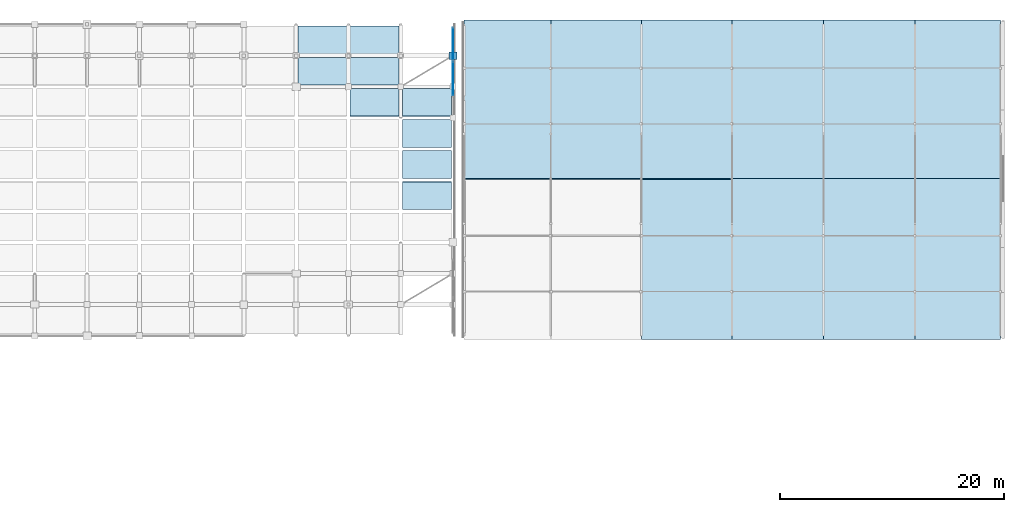
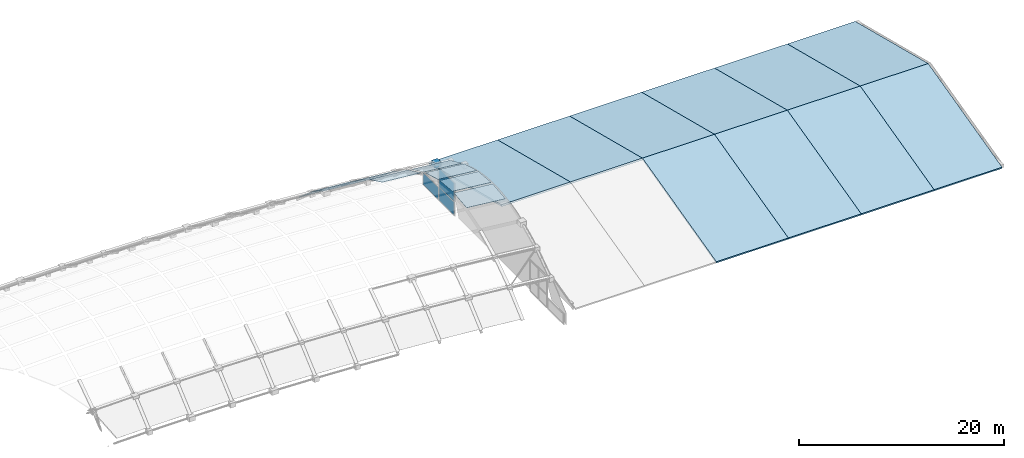
# One storey, part 47 of 65: 13 plates, 10 slabs, 3 elements without a shape of their own.
"""IFC4 building model written with IfcOpenShell, lengths in metres."""

from ifc_helpers import new_model, si_unit, direction, frame, origin, origin_2d, place, context, subcontext, project, spatial, polyline, rectangle, outline, extrude, material, layer, layer_set, type_object, element, aggregate, save


model = new_model("IFC4")

# Units and contexts
model_context = context("Model", 3, precision=1e-05, world=origin(), true_north=direction((0.0, 1.0)))
body_context = subcontext(model_context, "Body", "Model", "MODEL_VIEW")
ifc_project = project(units=[si_unit("LENGTHUNIT", "METRE"), si_unit("AREAUNIT", "SQUARE_METRE"), si_unit("VOLUMEUNIT", "CUBIC_METRE"), si_unit("PLANEANGLEUNIT", "RADIAN"), si_unit("MASSUNIT", "GRAM", prefix="KILO")], contexts=[model_context])

# Site, building, storey
site_placement = place(None, origin())
site = spatial("IfcSite", under=ifc_project, at=site_placement, CompositionType="ELEMENT")
building_placement = place(site_placement, origin())
building = spatial("IfcBuilding", under=site, at=building_placement, Name="Quillay Park Conservatory", CompositionType="ELEMENT")
storey_placement = place(building_placement, frame((0.0, 0.0, 14.10009765625)))
storey = spatial("IfcBuildingStorey", under=building, at=storey_placement, Name="L03", CompositionType="ELEMENT", Elevation=14.10009765625)

# Plate
ifc_material_1 = material(Name="Steel S355J2H", Category="steel")
ifc_layer_1 = layer(ifc_material_1, 0.0439453125)
ifc_layer_set_1 = layer_set([ifc_layer_1], Name="BOLTED GUSSET NODE PLATE GN04 (Steel S355J2H)")
plate_type_1 = type_object("IfcPlateType", Name="BOLTED GUSSET NODE PLATE GN04", PredefinedType="USERDEFINED", material=ifc_layer_set_1)
plate_1_placement = place(storey_placement, frame((114.85009765625, 110.614990234375, 0.636474609375), z_axis=(0.0, 0.0, 1.0), x_axis=(1.0, 0.0, 0.0)))
element("IfcPlate", 1, at=plate_1_placement, inside=storey, type_object=plate_type_1, Name="Conservatory gridshell star node GN04 (18,9)", ObjectType="GUSSET PLATE", PredefinedType="USERDEFINED", context=body_context, shape_type="SweptSolid", body=[
    extrude(rectangle(XDim=0.679931640625, YDim=0.679931640625, at=origin_2d()), origin(), (0.0, 0.0, 1.0), 0.5400390625),
])

# Curtain wall, plates
ifc_material_2 = material(Name="Thermally Broken Anodised Aluminium 6063-T6", Category="aluminium")
ifc_layer_2 = layer(ifc_material_2, 0.219970703125)
ifc_layer_set_2 = layer_set([ifc_layer_2], Name="UNITISED CURTAIN WALL CONSERVATORY (Thermally Broken Anodised Aluminium 6063-T6)")
curtain_wall_type = type_object("IfcCurtainWallType", Name="UNITISED CURTAIN WALL CONSERVATORY", PredefinedType="USERDEFINED", material=ifc_layer_set_2)
curtain_wall_1_placement = place(storey_placement, origin())
curtain_wall_1 = element("IfcCurtainWall", 2, at=curtain_wall_1_placement, inside=storey, type_object=curtain_wall_type, Name="L03 Unitised Curtain Wall 184", ObjectType="UNITISED CURTAIN WALL", PredefinedType="USERDEFINED")
ifc_material_3 = material(Name="Low-Iron Laminated Insulated Glazing", Category="glass")
ifc_layer_3 = layer(ifc_material_3, 0.031982421875)
ifc_layer_set_3 = layer_set([ifc_layer_3], Name="CURTAIN WALL GLAZED PANEL 32 (Low-Iron Laminated Insulated Glazing)")
plate_type_2 = type_object("IfcPlateType", Name="CURTAIN WALL GLAZED PANEL 32", PredefinedType="CURTAIN_PANEL", material=ifc_layer_set_3)
plate_2_placement = place(storey_placement, frame((114.85009765625, 108.552490234375, -3.130126953125), z_axis=(0.0, 0.0, 1.0), x_axis=(0.0, -1.0, 0.0)))
plate_2 = element("IfcPlate", 3, at=plate_2_placement, type_object=plate_type_2, Name="CW-C1 panel 1.1", PredefinedType="CURTAIN_PANEL", context=body_context, shape_type="SweptSolid", body=[
    extrude(rectangle(XDim=2.955078125, YDim=0.031982421875, at=origin_2d()), origin(), (0.0, 0.0, 1.0), 1.5576171875),
])
plate_3_placement = place(storey_placement, frame((114.85009765625, 108.552490234375, -1.50244140625), z_axis=(0.0, 0.0, 1.0), x_axis=(0.0, -1.0, 0.0)))
plate_3 = element("IfcPlate", 4, at=plate_3_placement, type_object=plate_type_2, Name="CW-C1 panel 1.2", PredefinedType="CURTAIN_PANEL", context=body_context, shape_type="SweptSolid", body=[
    extrude(rectangle(XDim=2.955078125, YDim=0.031982421875, at=origin_2d()), origin(), (0.0, 0.0, 1.0), 2.19091796875),
])
aggregate(curtain_wall_1, [plate_2, plate_3])

# Curtain wall, plate
curtain_wall_2_placement = place(storey_placement, origin())
curtain_wall_2 = element("IfcCurtainWall", 5, at=curtain_wall_2_placement, inside=storey, type_object=curtain_wall_type, Name="L03 Unitised Curtain Wall 186", ObjectType="UNITISED CURTAIN WALL", PredefinedType="USERDEFINED")
plate_4_placement = place(storey_placement, frame((114.85009765625, 111.6474609375, -3.13037109375), z_axis=(0.0, 0.0, 1.0), x_axis=(0.0, -1.0, 0.0)))
plate_4 = element("IfcPlate", 6, at=plate_4_placement, type_object=plate_type_2, Name="CW-C1 panel 1.1", PredefinedType="CURTAIN_PANEL", context=body_context, shape_type="SweptSolid", body=[
    extrude(rectangle(XDim=2.955078125, YDim=0.031982421875, at=origin_2d()), origin(), (0.0, 0.0, 1.0), 1.416259765625),
])
aggregate(curtain_wall_2, [plate_4])

# Slabs
ifc_material_4 = material(Name="Concrete C35/45 (NCh170 Concrete C35/45)", Category="concrete")
ifc_layer_4 = layer(ifc_material_4, 0.199951171875)
ifc_layer_set_4 = layer_set([ifc_layer_4], Name="FOLDED ROOF SLAB 200 (Concrete C35/45 (NCh170 Concrete C35/45))")
slab_type = type_object("IfcSlabType", Name="FOLDED ROOF SLAB 200", PredefinedType="ROOF", material=ifc_layer_set_4)
slab_1_placement = place(storey_placement, frame((115.85009765625, 99.60009765625, 2.2998046875), z_axis=(0.0, 0.245738068546, 0.969336268623), x_axis=(1.0, 0.0, 0.0)))
element("IfcSlab", 7, at=slab_1_placement, inside=storey, type_object=slab_type, Name="Auditorium Folded Roof North Facet 1", PredefinedType="ROOF", context=body_context, shape_type="SweptSolid", body=[
    extrude(outline(polyline([(0.0, 0.0), (7.75, 0.0), (7.75, 14.649148733547346), (0.0, 14.649148733547346), (0.0, 0.0)])), origin(), (0.0, 0.0, -1.0), 0.199951171875),
])
slab_2_placement = place(storey_placement, frame((123.60009765625, 99.60009765625, 2.2998046875), z_axis=(0.0, 0.245738068546, 0.969336268623), x_axis=(1.0, 0.0, 0.0)))
element("IfcSlab", 8, at=slab_2_placement, inside=storey, type_object=slab_type, Name="Auditorium Folded Roof North Facet 2", PredefinedType="ROOF", context=body_context, shape_type="SweptSolid", body=[
    extrude(outline(polyline([(0.0, 0.0), (8.099853515625, 0.0), (8.099853515625, 14.649148733547346), (0.0, 14.649148733547346), (0.0, 0.0)])), origin(), (0.0, 0.0, -1.0), 0.199951171875),
])
slab_3_placement = place(storey_placement, frame((131.699951171875, 85.199951171875, -1.300048828125), z_axis=(0.0, -0.24252401475, 0.970145402643), x_axis=(1.0, 0.0, 0.0)))
element("IfcSlab", 9, at=slab_3_placement, inside=storey, type_object=slab_type, Name="Auditorium Folded Roof South Facet 3", PredefinedType="ROOF", context=body_context, shape_type="SweptSolid", body=[
    extrude(outline(polyline([(0.0, 0.0), (8.10009765625, 0.0), (8.10009765625, 14.843286836324875), (0.0, 14.843286836324875), (0.0, 0.0)])), origin(), (0.0, 0.0, -1.0), 0.199951171875),
])
slab_4_placement = place(storey_placement, frame((131.699951171875, 99.60009765625, 2.2998046875), z_axis=(0.0, 0.245738068546, 0.969336268623), x_axis=(1.0, 0.0, 0.0)))
element("IfcSlab", 10, at=slab_4_placement, inside=storey, type_object=slab_type, Name="Auditorium Folded Roof North Facet 3", PredefinedType="ROOF", context=body_context, shape_type="SweptSolid", body=[
    extrude(outline(polyline([(0.0, 0.0), (8.10009765625, 0.0), (8.10009765625, 14.649148733547346), (0.0, 14.649148733547346), (0.0, 0.0)])), origin(), (0.0, 0.0, -1.0), 0.199951171875),
])
slab_5_placement = place(storey_placement, frame((139.800048828125, 85.199951171875, -1.300048828125), z_axis=(0.0, -0.24252401475, 0.970145402643), x_axis=(1.0, 0.0, 0.0)))
element("IfcSlab", 11, at=slab_5_placement, inside=storey, type_object=slab_type, Name="Auditorium Folded Roof South Facet 4", PredefinedType="ROOF", context=body_context, shape_type="SweptSolid", body=[
    extrude(outline(polyline([(0.0, 0.0), (8.199951171875, 0.0), (8.199951171875, 14.843286836324873), (0.0, 14.843286836324873), (0.0, 0.0)])), origin(), (0.0, 0.0, -1.0), 0.199951171875),
])
slab_6_placement = place(storey_placement, frame((139.800048828125, 99.60009765625, 2.2998046875), z_axis=(0.0, 0.245738068546, 0.969336268623), x_axis=(1.0, 0.0, 0.0)))
element("IfcSlab", 12, at=slab_6_placement, inside=storey, type_object=slab_type, Name="Auditorium Folded Roof North Facet 4", PredefinedType="ROOF", context=body_context, shape_type="SweptSolid", body=[
    extrude(outline(polyline([(0.0, 0.0), (8.199951171875, 0.0), (8.199951171875, 14.649148733547346), (0.0, 14.649148733547346), (0.0, 0.0)])), origin(), (0.0, 0.0, -1.0), 0.199951171875),
])
slab_7_placement = place(storey_placement, frame((148.0, 85.199951171875, -1.300048828125), z_axis=(0.0, -0.24252401475, 0.970145402643), x_axis=(1.0, 0.0, 0.0)))
element("IfcSlab", 13, at=slab_7_placement, inside=storey, type_object=slab_type, Name="Auditorium Folded Roof South Facet 5", PredefinedType="ROOF", context=body_context, shape_type="SweptSolid", body=[
    extrude(outline(polyline([(0.0, 0.0), (8.199951171875, 0.0), (8.199951171875, 14.843286836324873), (0.0, 14.843286836324873), (0.0, 0.0)])), origin(), (0.0, 0.0, -1.0), 0.199951171875),
])
slab_8_placement = place(storey_placement, frame((148.0, 99.60009765625, 2.2998046875), z_axis=(0.0, 0.245738068546, 0.969336268623), x_axis=(1.0, 0.0, 0.0)))
element("IfcSlab", 14, at=slab_8_placement, inside=storey, type_object=slab_type, Name="Auditorium Folded Roof North Facet 5", PredefinedType="ROOF", context=body_context, shape_type="SweptSolid", body=[
    extrude(outline(polyline([(0.0, 0.0), (8.199951171875, 0.0), (8.199951171875, 14.649148733547346), (0.0, 14.649148733547346), (0.0, 0.0)])), origin(), (0.0, 0.0, -1.0), 0.199951171875),
])
slab_9_placement = place(storey_placement, frame((156.199951171875, 85.199951171875, -1.300048828125), z_axis=(0.0, -0.24252401475, 0.970145402643), x_axis=(1.0, 0.0, 0.0)))
element("IfcSlab", 15, at=slab_9_placement, inside=storey, type_object=slab_type, Name="Auditorium Folded Roof South Facet 6", PredefinedType="ROOF", context=body_context, shape_type="SweptSolid", body=[
    extrude(outline(polyline([(0.0, 0.0), (7.650146484375, 0.0), (7.650146484375, 14.843286836324875), (0.0, 14.843286836324875), (0.0, 0.0)])), origin(), (0.0, 0.0, -1.0), 0.199951171875),
])
slab_10_placement = place(storey_placement, frame((156.199951171875, 99.60009765625, 2.2998046875), z_axis=(0.0, 0.245738068546, 0.969336268623), x_axis=(1.0, 0.0, 0.0)))
element("IfcSlab", 16, at=slab_10_placement, inside=storey, type_object=slab_type, Name="Auditorium Folded Roof North Facet 6", PredefinedType="ROOF", context=body_context, shape_type="SweptSolid", body=[
    extrude(outline(polyline([(0.0, 0.0), (7.650146484375, 0.0), (7.650146484375, 14.649148733547346), (0.0, 14.649148733547346), (0.0, 0.0)])), origin(), (0.0, 0.0, -1.0), 0.199951171875),
])

# Roof, plates
ifc_material_5 = material(Name="Low-Iron Laminated Insulated Glazing", Category="glass")
roof_type = type_object("IfcRoofType", Name="TRANSLATIONAL GRIDSHELL ROOF", PredefinedType="FREEFORM", material=ifc_material_5)
roof_placement = place(storey_placement, origin())
roof = element("IfcRoof", 17, at=roof_placement, inside=storey, type_object=roof_type, Name="Multi-Biome Conservatory Translational Gridshell Roof", PredefinedType="FREEFORM")
ifc_material_6 = material(Name="Low-Iron Laminated Insulated Glazing", Category="glass")
ifc_layer_5 = layer(ifc_material_6, 0.033935546875)
ifc_layer_set_5 = layer_set([ifc_layer_5], Name="GRIDSHELL GLAZED PANEL 34 (Low-Iron Laminated Insulated Glazing)")
plate_type_3 = type_object("IfcPlateType", Name="GRIDSHELL GLAZED PANEL 34", PredefinedType="SHEET", material=ifc_layer_set_5)
plate_5_placement = place(storey_placement, frame((100.966796875, 110.764892578125, 2.31005859375), z_axis=(0.061406622101, 0.651409023761, 0.756237734132), x_axis=(0.996719480928, 0.0, -0.080933777493)))
plate_5 = element("IfcPlate", 18, at=plate_5_placement, type_object=plate_type_3, Name="Conservatory Gridshell Roof Glazing Panel 15-09", PredefinedType="SHEET", context=body_context, shape_type="SweptSolid", body=[
    extrude(outline(polyline([(0.0, 0.0), (4.392093894664006, 0.0), (4.565342762110397, 3.2753654939276244), (0.17324886744639156, 3.2753654939276244), (0.0, 0.0)])), origin(), (0.0, 0.0, -1.0), 0.033935546875),
])
plate_6_placement = place(storey_placement, frame((105.644287109375, 107.97998046875, 3.82177734375), z_axis=(0.077667705746, 0.553813736273, 0.829010297282), x_axis=(0.995640029065, 0.0, -0.09327878925)))
plate_6 = element("IfcPlate", 19, at=plate_6_placement, type_object=plate_type_3, Name="Conservatory Gridshell Roof Glazing Panel 16-08", PredefinedType="SHEET", context=body_context, shape_type="SweptSolid", body=[
    extrude(outline(polyline([(0.0, 0.0), (4.397100919709247, -2.7755575615628914e-17), (4.551958284674864, 2.9846100028627154), (0.15485736496561642, 2.9846100028627154), (0.0, 0.0)])), origin(), (0.0, 0.0, -1.0), 0.033935546875),
])
plate_7_placement = place(storey_placement, frame((110.322265625, 96.840087890625, 5.55224609375), z_axis=(0.104126902067, -0.105713856661, 0.988929809833), x_axis=(0.994502413448, 0.0, -0.10471365549)))
plate_7 = element("IfcPlate", 20, at=plate_7_placement, type_object=plate_type_3, Name="Conservatory Gridshell Roof Glazing Panel 17-04", PredefinedType="SHEET", context=body_context, shape_type="SweptSolid", body=[
    extrude(outline(polyline([(0.0, 0.0), (4.401885292261092, 0.0), (4.37407072752158, 2.49886544598101), (-0.027814564739511584, 2.4988654459810093), (0.0, 0.0)])), origin(), (0.0, 0.0, -1.0), 0.033935546875),
])
plate_8_placement = place(storey_placement, frame((110.322265625, 105.195068359375, 4.73193359375), z_axis=(0.094690206135, 0.426945127604, 0.899306189725), x_axis=(0.994502413448, 0.0, -0.10471365549)))
plate_8 = element("IfcPlate", 21, at=plate_8_placement, type_object=plate_type_3, Name="Conservatory Gridshell Roof Glazing Panel 17-07", PredefinedType="SHEET", context=body_context, shape_type="SweptSolid", body=[
    extrude(outline(polyline([(0.0, 0.0), (4.401885292261092, 0.0), (4.5254146827218635, 2.7478989453495486), (0.12352939046077203, 2.7478989453495486), (0.0, 0.0)])), origin(), (0.0, 0.0, -1.0), 0.033935546875),
])
ifc_material_7 = material(Name="Low-Iron Laminated Insulated Glazing", Category="glass")
ifc_layer_6 = layer(ifc_material_7, 0.0380859375)
ifc_layer_set_6 = layer_set([ifc_layer_6], Name="GRIDSHELL GLAZED PANEL 38 (Low-Iron Laminated Insulated Glazing)")
plate_type_4 = type_object("IfcPlateType", Name="GRIDSHELL GLAZED PANEL 38", PredefinedType="SHEET", material=ifc_layer_set_6)
plate_9_placement = place(storey_placement, frame((105.644287109375, 110.764892578125, 1.93115234375), z_axis=(0.070805641738, 0.651002623209, 0.755765933125), x_axis=(0.995640029065, 0.0, -0.09327878925)))
plate_9 = element("IfcPlate", 22, at=plate_9_placement, type_object=plate_type_4, Name="Conservatory Gridshell Roof Glazing Panel 16-09", PredefinedType="SHEET", context=body_context, shape_type="SweptSolid", body=[
    extrude(outline(polyline([(0.0, 0.0), (4.397100919709247, 0.0), (4.5967758279472655, 3.2738607514528395), (0.19967490823801834, 3.2738607514528395), (0.0, 0.0)])), origin(), (0.0, 0.0, -1.0), 0.0380859375),
])
plate_10_placement = place(storey_placement, frame((110.322265625, 99.625, 5.81787109375), z_axis=(0.104314719317, 0.087206932348, 0.99071357631), x_axis=(0.994502413448, 0.0, -0.10471365549)))
plate_10 = element("IfcPlate", 23, at=plate_10_placement, type_object=plate_type_4, Name="Conservatory Gridshell Roof Glazing Panel 17-05", PredefinedType="SHEET", context=body_context, shape_type="SweptSolid", body=[
    extrude(outline(polyline([(0.0, 0.0), (4.401885292261092, 6.938893903907228e-18), (4.424791404399513, 2.4946113466399753), (0.022906112138421305, 2.4946113466399753), (0.0, 0.0)])), origin(), (0.0, 0.0, -1.0), 0.0380859375),
])
ifc_material_8 = material(Name="Low-Iron Laminated Insulated Glazing", Category="glass")
ifc_layer_7 = layer(ifc_material_8, 0.0419921875)
ifc_layer_set_7 = layer_set([ifc_layer_7], Name="GRIDSHELL GLAZED PANEL 42 (Low-Iron Laminated Insulated Glazing)")
plate_type_5 = type_object("IfcPlateType", Name="GRIDSHELL GLAZED PANEL 42", PredefinedType="SHEET", material=ifc_layer_set_7)
plate_11_placement = place(storey_placement, frame((100.966796875, 107.97998046875, 4.20068359375), z_axis=(0.067366338304, 0.554229803178, 0.829633112727), x_axis=(0.996719480928, 0.0, -0.080933777493)))
plate_11 = element("IfcPlate", 24, at=plate_11_placement, type_object=plate_type_5, Name="Conservatory Gridshell Roof Glazing Panel 15-08", PredefinedType="SHEET", context=body_context, shape_type="SweptSolid", body=[
    extrude(outline(polyline([(0.0, 0.0), (4.392093894664006, 0.0), (4.526456611205459, 2.985602842488577), (0.13436271654145332, 2.985602842488577), (0.0, 0.0)])), origin(), (0.0, 0.0, -1.0), 0.0419921875),
])
plate_12_placement = place(storey_placement, frame((105.644287109375, 105.195068359375, 5.17333984375), z_axis=(0.084332320857, 0.427344363321, 0.900147129528), x_axis=(0.995640029065, 0.0, -0.09327878925)))
plate_12 = element("IfcPlate", 25, at=plate_12_placement, type_object=plate_type_5, Name="Conservatory Gridshell Roof Glazing Panel 16-07", PredefinedType="SHEET", context=body_context, shape_type="SweptSolid", body=[
    extrude(outline(polyline([(0.0, 0.0), (4.397100919709247, -2.7755575615628914e-17), (4.507140741402462, 2.748472186834441), (0.11003982169321448, 2.748472186834441), (0.0, 0.0)])), origin(), (0.0, 0.0, -1.0), 0.0419921875),
])
plate_13_placement = place(storey_placement, frame((110.322265625, 102.409912109375, 5.54443359375), z_axis=(0.100840278559, 0.269466298374, 0.957715590486), x_axis=(0.994502413448, 0.0, -0.10471365549)))
plate_13 = element("IfcPlate", 26, at=plate_13_placement, type_object=plate_type_5, Name="Conservatory Gridshell Roof Glazing Panel 17-06", PredefinedType="SHEET", context=body_context, shape_type="SweptSolid", body=[
    extrude(outline(polyline([(0.0, 0.0), (4.401885292261092, 0.0), (4.475103043560688, 2.580562907488287), (0.07321775129959666, 2.580562907488287), (0.0, 0.0)])), origin(), (0.0, 0.0, -1.0), 0.0419921875),
])
aggregate(roof, [plate_11, plate_5, plate_12, plate_6, plate_9, plate_7, plate_10, plate_13, plate_8])

save(model, "model.ifc")
